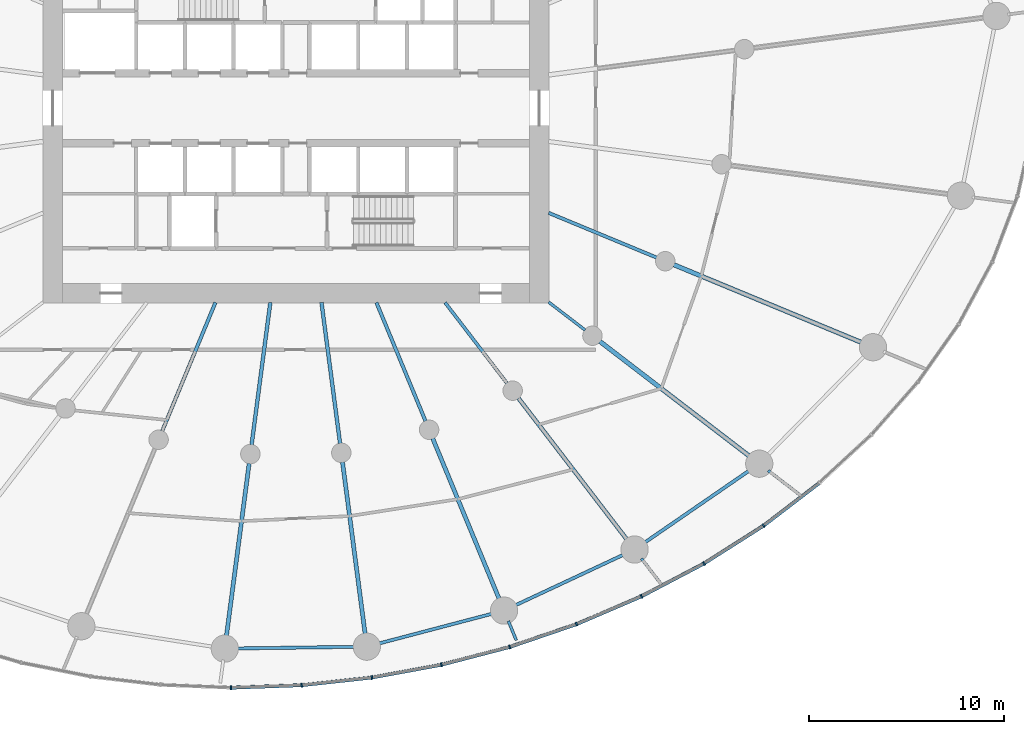
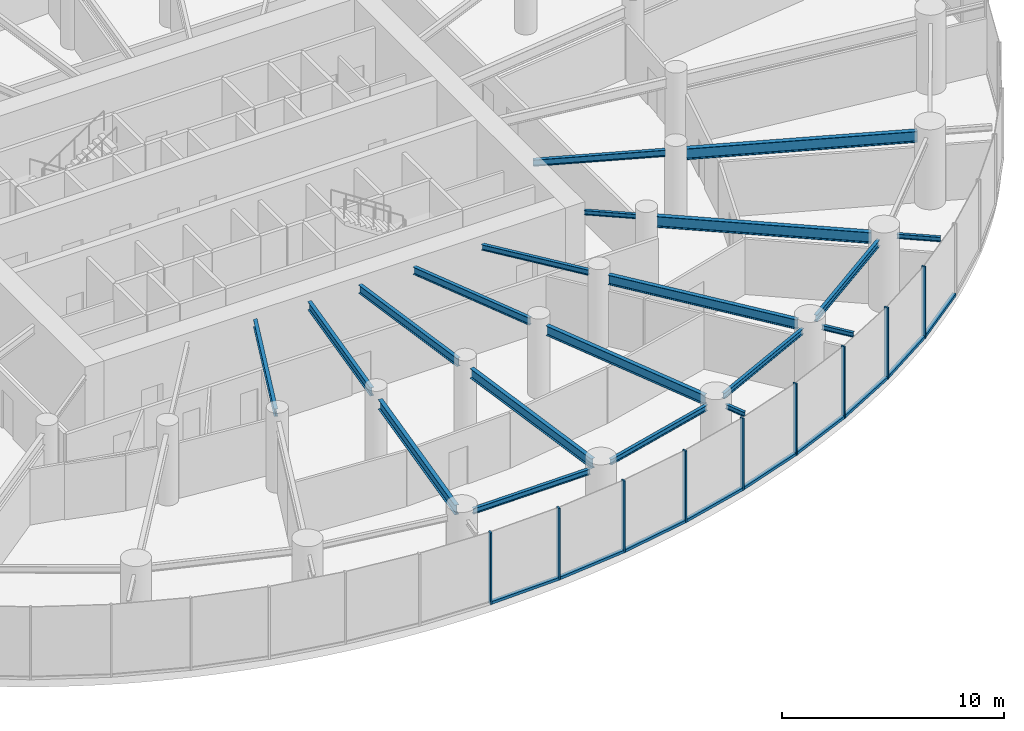
# One storey, part 4 of 19: 20 beams, 18 members, 2 elements without a shape of their own.
"""IFC4 building model written with IfcOpenShell, lengths in metres."""

from ifc_helpers import new_model, si_unit, direction, frame, origin, origin_2d, place, context, subcontext, project, spatial, rectangle, i_section, extrude, source, transform, mapped, material, layer, layer_set, material_profile, profile_set, type_object, element, aggregate, save


model = new_model("IFC4")

# Units and contexts
model_context = context("Model", 3, precision=1e-05, world=origin(), true_north=direction((0.0, 1.0)))
body_context = subcontext(model_context, "Body", "Model", "MODEL_VIEW")
ifc_project = project(units=[si_unit("LENGTHUNIT", "METRE"), si_unit("AREAUNIT", "SQUARE_METRE"), si_unit("VOLUMEUNIT", "CUBIC_METRE"), si_unit("PLANEANGLEUNIT", "RADIAN"), si_unit("MASSUNIT", "GRAM", prefix="KILO")], contexts=[model_context])

# Site, building, storey
site_placement = place(None, origin())
site = spatial("IfcSite", under=ifc_project, at=site_placement, CompositionType="ELEMENT")
building_placement = place(site_placement, origin())
building = spatial("IfcBuilding", under=site, at=building_placement, Name="Spindrift Exchange Tower", CompositionType="ELEMENT")
storey_placement = place(building_placement, frame((0.0, 0.0, 44.60009765625)))
storey = spatial("IfcBuildingStorey", under=building, at=storey_placement, Name="L10", CompositionType="ELEMENT", Elevation=44.60009765625)

# Beams
ifc_material_1 = material(Name="Steel Grade 300", Category="steel")
ifc_material_profile_1 = material_profile(ifc_material_1, i_section(OverallWidth=0.177978515625, OverallDepth=0.406005859375, WebThickness=0.0078125, FlangeThickness=0.0126953125, FilletRadius=0.013916015625, at=origin_2d()), Name="410UB59.7")
ifc_profile_set_1 = profile_set([ifc_material_profile_1], Name="Steel Grade 300")
beam_type_1 = type_object("IfcBeamType", Name="Floor Beam 410UB59.7 Steel Grade 300", PredefinedType="BEAM", material=ifc_profile_set_1)
shared_shape_1 = source(origin(), body_context, "Body", "SweptSolid", [
    extrude(i_section(OverallWidth=0.177978515625, OverallDepth=0.406005859375, WebThickness=0.0078125, FlangeThickness=0.0126953125, FilletRadius=0.013916015625, at=origin_2d()), origin(), (0.0, 0.0, 1.0), 7.150634765625),
])
beam_1_placement = place(storey_placement, frame((47.865478515625, 38.0185546875, 3.746826171875), z_axis=(-0.382665393358, -0.923887004306, 0.0), x_axis=(0.923887004306, -0.382665393358, 0.0)))
element("IfcBeam", 1, at=beam_1_placement, inside=storey, type_object=beam_type_1, Name="L10 radial beam R17A", PredefinedType="BEAM", context=body_context, shape_type="MappedRepresentation", body=[
    mapped(shared_shape_1, transform((0.0, 0.0, 0.0), scale=1.0)),
])
ifc_material_profile_2 = material_profile(ifc_material_1, i_section(OverallWidth=0.18994140625, OverallDepth=0.45703125, WebThickness=0.009033203125, FlangeThickness=0.014404296875, FilletRadius=0.013916015625, at=origin_2d()), Name="460UB74.6")
ifc_profile_set_2 = profile_set([ifc_material_profile_2], Name="Steel Grade 300")
beam_type_2 = type_object("IfcBeamType", Name="Floor Beam 460UB74.6 Steel Grade 300", PredefinedType="BEAM", material=ifc_profile_set_2)
shared_shape_2 = source(origin(), body_context, "Body", "SweptSolid", [
    extrude(i_section(OverallWidth=0.18994140625, OverallDepth=0.45703125, WebThickness=0.009033203125, FlangeThickness=0.014404296875, FilletRadius=0.013916015625, at=origin_2d()), origin(), (0.0, 0.0, 1.0), 7.374267578125),
])
beam_2_placement = place(storey_placement, frame((50.68603515625, 38.019775390625, 3.721435546875), z_axis=(-0.130539295622, -0.99144313619, 0.0), x_axis=(0.99144313619, -0.130539295622, 0.0)))
element("IfcBeam", 2, at=beam_2_placement, inside=storey, type_object=beam_type_2, Name="L10 radial beam R18A", PredefinedType="BEAM", context=body_context, shape_type="MappedRepresentation", body=[
    mapped(shared_shape_2, transform((0.0, 0.0, 0.0), scale=1.0)),
])
ifc_material_profile_3 = material_profile(ifc_material_1, i_section(OverallWidth=0.208984375, OverallDepth=0.532958984375, WebThickness=0.01025390625, FlangeThickness=0.015625, FilletRadius=0.013916015625, at=origin_2d()), Name="530UB92.4")
ifc_profile_set_3 = profile_set([ifc_material_profile_3], Name="Steel Grade 300")
beam_type_3 = type_object("IfcBeamType", Name="Floor Beam 530UB92.4 Steel Grade 300", PredefinedType="BEAM", material=ifc_profile_set_3)
shared_shape_3 = source(origin(), body_context, "Body", "SweptSolid", [
    extrude(i_section(OverallWidth=0.208984375, OverallDepth=0.532958984375, WebThickness=0.01025390625, FlangeThickness=0.015625, FilletRadius=0.013916015625, at=origin_2d()), origin(), (0.0, 0.0, 1.0), 9.020263671875),
])
beam_3_placement = place(storey_placement, frame((49.59814453125, 29.7568359375, 3.683349609375), z_axis=(-0.13051122338, -0.991446831944, 0.0), x_axis=(0.991446831944, -0.13051122338, 0.0)))
element("IfcBeam", 3, at=beam_3_placement, inside=storey, type_object=beam_type_3, Name="L10 radial beam R18B", PredefinedType="BEAM", context=body_context, shape_type="MappedRepresentation", body=[
    mapped(shared_shape_3, transform((0.0, 0.0, 0.0), scale=1.0)),
])
shared_shape_4 = source(origin(), body_context, "Body", "SweptSolid", [
    extrude(i_section(OverallWidth=0.18994140625, OverallDepth=0.45703125, WebThickness=0.009033203125, FlangeThickness=0.014404296875, FilletRadius=0.013916015625, at=origin_2d()), origin(), (0.0, 0.0, 1.0), 7.3095703125),
])
beam_4_placement = place(storey_placement, frame((53.31396484375, 38.019775390625, 3.721435546875), z_axis=(0.130527087244, -0.991444743541, 0.0), x_axis=(0.991444743541, 0.130527087244, 0.0)))
element("IfcBeam", 4, at=beam_4_placement, inside=storey, type_object=beam_type_2, Name="L10 radial beam R19A", PredefinedType="BEAM", context=body_context, shape_type="MappedRepresentation", body=[
    mapped(shared_shape_4, transform((0.0, 0.0, 0.0), scale=1.0)),
])
shared_shape_5 = source(origin(), body_context, "Body", "SweptSolid", [
    extrude(i_section(OverallWidth=0.208984375, OverallDepth=0.532958984375, WebThickness=0.01025390625, FlangeThickness=0.015625, FilletRadius=0.013916015625, at=origin_2d()), origin(), (0.0, 0.0, 1.0), 8.98388671875),
])
beam_5_placement = place(storey_placement, frame((54.393310546875, 29.82080078125, 3.683349609375), z_axis=(0.130524106785, -0.991445135924, 0.0), x_axis=(0.991445135924, 0.130524106785, 0.0)))
element("IfcBeam", 5, at=beam_5_placement, inside=storey, type_object=beam_type_3, Name="L10 radial beam R19B", PredefinedType="BEAM", context=body_context, shape_type="MappedRepresentation", body=[
    mapped(shared_shape_5, transform((0.0, 0.0, 0.0), scale=1.0)),
])
shared_shape_6 = source(origin(), body_context, "Body", "SweptSolid", [
    extrude(i_section(OverallWidth=0.177978515625, OverallDepth=0.406005859375, WebThickness=0.0078125, FlangeThickness=0.0126953125, FilletRadius=0.013916015625, at=origin_2d()), origin(), (0.0, 0.0, 1.0), 6.594482421875),
])
beam_6_placement = place(storey_placement, frame((56.134521484375, 38.0185546875, 3.746826171875), z_axis=(0.382692929746, -0.92387559851, 0.0), x_axis=(0.92387559851, 0.382692929746, 0.0)))
element("IfcBeam", 6, at=beam_6_placement, inside=storey, type_object=beam_type_1, Name="L10 radial beam R20A", PredefinedType="BEAM", context=body_context, shape_type="MappedRepresentation", body=[
    mapped(shared_shape_6, transform((0.0, 0.0, 0.0), scale=1.0)),
])
shared_shape_7 = source(origin(), body_context, "Body", "SweptSolid", [
    extrude(i_section(OverallWidth=0.208984375, OverallDepth=0.532958984375, WebThickness=0.01025390625, FlangeThickness=0.015625, FilletRadius=0.013916015625, at=origin_2d()), origin(), (0.0, 0.0, 1.0), 8.99658203125),
])
beam_7_placement = place(storey_placement, frame((59.025390625, 31.0390625, 3.683349609375), z_axis=(0.382685731718, -0.923878580085, 0.0), x_axis=(0.923878580085, 0.382685731718, 0.0)))
element("IfcBeam", 7, at=beam_7_placement, inside=storey, type_object=beam_type_3, Name="L10 radial beam R20B", PredefinedType="BEAM", context=body_context, shape_type="MappedRepresentation", body=[
    mapped(shared_shape_7, transform((0.0, 0.0, 0.0), scale=1.0)),
])
ifc_material_profile_4 = material_profile(ifc_material_1, i_section(OverallWidth=0.1650390625, OverallDepth=0.303955078125, WebThickness=0.006103515625, FlangeThickness=0.01025390625, FilletRadius=0.011474609375, at=origin_2d()), Name="310UB40.4")
ifc_profile_set_4 = profile_set([ifc_material_profile_4], Name="Steel Grade 300")
beam_type_4 = type_object("IfcBeamType", Name="Floor Beam 310UB40.4 Steel Grade 300", PredefinedType="BEAM", material=ifc_profile_set_4)
shared_shape_8 = source(origin(), body_context, "Body", "SweptSolid", [
    extrude(i_section(OverallWidth=0.1650390625, OverallDepth=0.303955078125, WebThickness=0.006103515625, FlangeThickness=0.01025390625, FilletRadius=0.011474609375, at=origin_2d()), origin(), (0.0, 0.0, 1.0), 5.224609375),
])
beam_8_placement = place(storey_placement, frame((59.6611328125, 38.015869140625, 3.7978515625), z_axis=(0.608741499316, -0.793368632485, 0.0), x_axis=(0.793368632485, 0.608741499316, 0.0)))
element("IfcBeam", 8, at=beam_8_placement, inside=storey, type_object=beam_type_4, Name="L10 radial beam R21A", PredefinedType="BEAM", context=body_context, shape_type="MappedRepresentation", body=[
    mapped(shared_shape_8, transform((0.0, 0.0, 0.0), scale=1.0)),
])
shared_shape_9 = source(origin(), body_context, "Body", "SweptSolid", [
    extrude(i_section(OverallWidth=0.208984375, OverallDepth=0.532958984375, WebThickness=0.01025390625, FlangeThickness=0.015625, FilletRadius=0.013916015625, at=origin_2d()), origin(), (0.0, 0.0, 1.0), 9.227783203125),
])
beam_9_placement = place(storey_placement, frame((63.426025390625, 33.109375, 3.683349609375), z_axis=(0.608747534474, -0.79336400175, 0.0), x_axis=(0.79336400175, 0.608747534474, 0.0)))
element("IfcBeam", 9, at=beam_9_placement, inside=storey, type_object=beam_type_3, Name="L10 radial beam R21B", PredefinedType="BEAM", context=body_context, shape_type="MappedRepresentation", body=[
    mapped(shared_shape_9, transform((0.0, 0.0, 0.0), scale=1.0)),
])
ifc_material_profile_5 = material_profile(ifc_material_1, i_section(OverallWidth=0.14599609375, OverallDepth=0.251953125, WebThickness=0.006103515625, FlangeThickness=0.008544921875, FilletRadius=0.011962890625, at=origin_2d()), Name="250UB31.4")
ifc_profile_set_5 = profile_set([ifc_material_profile_5], Name="Steel Grade 300")
beam_type_5 = type_object("IfcBeamType", Name="Floor Beam 250UB31.4 Steel Grade 300", PredefinedType="BEAM", material=ifc_profile_set_5)
shared_shape_10 = source(origin(), body_context, "Body", "SweptSolid", [
    extrude(i_section(OverallWidth=0.14599609375, OverallDepth=0.251953125, WebThickness=0.006103515625, FlangeThickness=0.008544921875, FilletRadius=0.011962890625, at=origin_2d()), origin(), (0.0, 0.0, 1.0), 2.353759765625),
])
beam_10_placement = place(storey_placement, frame((64.984130859375, 38.036865234375, 3.823974609375), z_axis=(0.793367573265, -0.608742879787, 0.0), x_axis=(0.608742879787, 0.793367573265, 0.0)))
element("IfcBeam", 10, at=beam_10_placement, inside=storey, type_object=beam_type_5, Name="L10 radial beam R22A", PredefinedType="BEAM", context=body_context, shape_type="MappedRepresentation", body=[
    mapped(shared_shape_10, transform((0.0, 0.0, 0.0), scale=1.0)),
])
ifc_material_profile_6 = material_profile(ifc_material_1, i_section(OverallWidth=0.22802734375, OverallDepth=0.60693359375, WebThickness=0.01123046875, FlangeThickness=0.017333984375, FilletRadius=0.013916015625, at=origin_2d()), Name="610UB113")
ifc_profile_set_6 = profile_set([ifc_material_profile_6], Name="Steel Grade 300")
beam_type_6 = type_object("IfcBeamType", Name="Floor Beam 610UB113 Steel Grade 300", PredefinedType="BEAM", material=ifc_profile_set_6)
shared_shape_11 = source(origin(), body_context, "Body", "SweptSolid", [
    extrude(i_section(OverallWidth=0.22802734375, OverallDepth=0.60693359375, WebThickness=0.01123046875, FlangeThickness=0.017333984375, FilletRadius=0.013916015625, at=origin_2d()), origin(), (0.0, 0.0, 1.0), 9.73974609375),
])
beam_11_placement = place(storey_placement, frame((67.61328125, 36.01953125, 3.646484375), z_axis=(0.793352119621, -0.608763019814, 0.0), x_axis=(0.608763019814, 0.793352119621, 0.0)))
element("IfcBeam", 11, at=beam_11_placement, inside=storey, type_object=beam_type_6, Name="L10 radial beam R22B", PredefinedType="BEAM", context=body_context, shape_type="MappedRepresentation", body=[
    mapped(shared_shape_11, transform((0.0, 0.0, 0.0), scale=1.0)),
])
ifc_material_profile_7 = material_profile(ifc_material_1, i_section(OverallWidth=0.172119140625, OverallDepth=0.35888671875, WebThickness=0.008056640625, FlangeThickness=0.012939453125, FilletRadius=0.013916015625, at=origin_2d()), Name="360UB56.7")
ifc_profile_set_7 = profile_set([ifc_material_profile_7], Name="Steel Grade 300")
beam_type_7 = type_object("IfcBeamType", Name="Floor Beam 360UB56.7 Steel Grade 300", PredefinedType="BEAM", material=ifc_profile_set_7)
shared_shape_12 = source(origin(), body_context, "Body", "SweptSolid", [
    extrude(i_section(OverallWidth=0.172119140625, OverallDepth=0.35888671875, WebThickness=0.008056640625, FlangeThickness=0.012939453125, FilletRadius=0.013916015625, at=origin_2d()), origin(), (0.0, 0.0, 1.0), 6.004638671875),
])
beam_12_placement = place(storey_placement, frame((64.9814453125, 42.622802734375, 3.7705078125), z_axis=(0.923882044911, -0.38267736684, 0.0), x_axis=(0.38267736684, 0.923882044911, 0.0)))
element("IfcBeam", 12, at=beam_12_placement, inside=storey, type_object=beam_type_7, Name="L10 radial beam R23A", PredefinedType="BEAM", context=body_context, shape_type="MappedRepresentation", body=[
    mapped(shared_shape_12, transform((0.0, 0.0, 0.0), scale=1.0)),
])
shared_shape_13 = source(origin(), body_context, "Body", "SweptSolid", [
    extrude(i_section(OverallWidth=0.22802734375, OverallDepth=0.60693359375, WebThickness=0.01123046875, FlangeThickness=0.017333984375, FilletRadius=0.013916015625, at=origin_2d()), origin(), (0.0, 0.0, 1.0), 10.4912109375),
])
beam_13_placement = place(storey_placement, frame((71.416015625, 39.95751953125, 3.646484375), z_axis=(0.923885231151, -0.382669674342, 0.0), x_axis=(0.382669674342, 0.923885231151, 0.0)))
element("IfcBeam", 13, at=beam_13_placement, inside=storey, type_object=beam_type_6, Name="L10 radial beam R23B", PredefinedType="BEAM", context=body_context, shape_type="MappedRepresentation", body=[
    mapped(shared_shape_13, transform((0.0, 0.0, 0.0), scale=1.0)),
])
ifc_material_profile_8 = material_profile(ifc_material_1, i_section(OverallWidth=0.1650390625, OverallDepth=0.303955078125, WebThickness=0.006103515625, FlangeThickness=0.01025390625, FilletRadius=0.011474609375, at=origin_2d()), Name="310UB40.4")
ifc_profile_set_8 = profile_set([ifc_material_profile_8], Name="Steel Grade 300")
beam_type_8 = type_object("IfcBeamType", Name="Edge Beam 310UB40.4 Steel Grade 300", PredefinedType="SPANDREL", material=ifc_profile_set_8)
shared_shape_14 = source(origin(), body_context, "Body", "SweptSolid", [
    extrude(i_section(OverallWidth=0.1650390625, OverallDepth=0.303955078125, WebThickness=0.006103515625, FlangeThickness=0.01025390625, FilletRadius=0.011474609375, at=origin_2d()), origin(), (0.0, 0.0, 1.0), 6.13720703125),
])
beam_14_placement = place(storey_placement, frame((48.925048828125, 20.24658203125, 3.7978515625), z_axis=(0.999905820907, 0.013724041543, 0.0), x_axis=(-0.013724041543, 0.999905820907, 0.0)))
element("IfcBeam", 14, at=beam_14_placement, inside=storey, type_object=beam_type_8, Name="L10 edge beam E18", PredefinedType="SPANDREL", context=body_context, shape_type="MappedRepresentation", body=[
    mapped(shared_shape_14, transform((0.0, 0.0, 0.0), scale=1.0)),
])
shared_shape_15 = source(origin(), body_context, "Body", "SweptSolid", [
    extrude(i_section(OverallWidth=0.1650390625, OverallDepth=0.303955078125, WebThickness=0.006103515625, FlangeThickness=0.01025390625, FilletRadius=0.011474609375, at=origin_2d()), origin(), (0.0, 0.0, 1.0), 6.128173828125),
])
beam_15_placement = place(storey_placement, frame((56.20263671875, 20.486083984375, 3.7978515625), z_axis=(0.967147261855, 0.254216785216, 0.0), x_axis=(-0.254216785216, 0.967147261855, 0.0)))
element("IfcBeam", 15, at=beam_15_placement, inside=storey, type_object=beam_type_8, Name="L10 edge beam E19", PredefinedType="SPANDREL", context=body_context, shape_type="MappedRepresentation", body=[
    mapped(shared_shape_15, transform((0.0, 0.0, 0.0), scale=1.0)),
])
shared_shape_16 = source(origin(), body_context, "Body", "SweptSolid", [
    extrude(i_section(OverallWidth=0.1650390625, OverallDepth=0.303955078125, WebThickness=0.006103515625, FlangeThickness=0.01025390625, FilletRadius=0.011474609375, at=origin_2d()), origin(), (0.0, 0.0, 1.0), 6.243408203125),
])
beam_16_placement = place(storey_placement, frame((63.2158203125, 22.43701171875, 3.7978515625), z_axis=(0.905791146607, 0.423724437257, 0.0), x_axis=(-0.423724437257, 0.905791146607, 0.0)))
element("IfcBeam", 16, at=beam_16_placement, inside=storey, type_object=beam_type_8, Name="L10 edge beam E20", PredefinedType="SPANDREL", context=body_context, shape_type="MappedRepresentation", body=[
    mapped(shared_shape_16, transform((0.0, 0.0, 0.0), scale=1.0)),
])
ifc_material_profile_9 = material_profile(ifc_material_1, i_section(OverallWidth=0.172119140625, OverallDepth=0.35888671875, WebThickness=0.008056640625, FlangeThickness=0.012939453125, FilletRadius=0.013916015625, at=origin_2d()), Name="360UB56.7")
ifc_profile_set_9 = profile_set([ifc_material_profile_9], Name="Steel Grade 300")
beam_type_9 = type_object("IfcBeamType", Name="Edge Beam 360UB56.7 Steel Grade 300", PredefinedType="SPANDREL", material=ifc_profile_set_9)
shared_shape_17 = source(origin(), body_context, "Body", "SweptSolid", [
    extrude(i_section(OverallWidth=0.172119140625, OverallDepth=0.35888671875, WebThickness=0.008056640625, FlangeThickness=0.012939453125, FilletRadius=0.013916015625, at=origin_2d()), origin(), (0.0, 0.0, 1.0), 6.614990234375),
])
beam_17_placement = place(storey_placement, frame((69.874267578125, 25.6572265625, 3.7705078125), z_axis=(0.823690708835, 0.567039342708, 0.0), x_axis=(-0.567039342708, 0.823690708835, 0.0)))
element("IfcBeam", 17, at=beam_17_placement, inside=storey, type_object=beam_type_9, Name="L10 edge beam E21", PredefinedType="SPANDREL", context=body_context, shape_type="MappedRepresentation", body=[
    mapped(shared_shape_17, transform((0.0, 0.0, 0.0), scale=1.0)),
])
ifc_material_profile_10 = material_profile(ifc_material_1, i_section(OverallWidth=0.14599609375, OverallDepth=0.251953125, WebThickness=0.006103515625, FlangeThickness=0.008544921875, FilletRadius=0.011962890625, at=origin_2d()), Name="250UB31.4")
ifc_profile_set_10 = profile_set([ifc_material_profile_10], Name="Steel Grade 300")
beam_type_10 = type_object("IfcBeamType", Name="Cantilever Beam 250UB31.4 Steel Grade 300", PredefinedType="BEAM", material=ifc_profile_set_10)
shared_shape_18 = source(origin(), body_context, "Body", "SweptSolid", [
    extrude(i_section(OverallWidth=0.14599609375, OverallDepth=0.251953125, WebThickness=0.006103515625, FlangeThickness=0.008544921875, FilletRadius=0.011962890625, at=origin_2d()), origin(), (0.0, 0.0, 1.0), 1.0703125),
])
beam_18_placement = place(storey_placement, frame((62.912109375, 21.655517578125, 3.823974609375), z_axis=(0.382768141022, -0.923844440487, 0.0), x_axis=(0.923844440487, 0.382768141022, 0.0)))
element("IfcBeam", 18, at=beam_18_placement, inside=storey, type_object=beam_type_10, Name="L10 cantilever beam R20T", PredefinedType="BEAM", context=body_context, shape_type="MappedRepresentation", body=[
    mapped(shared_shape_18, transform((0.0, 0.0, 0.0), scale=1.0)),
])
shared_shape_19 = source(origin(), body_context, "Body", "SweptSolid", [
    extrude(i_section(OverallWidth=0.14599609375, OverallDepth=0.251953125, WebThickness=0.006103515625, FlangeThickness=0.008544921875, FilletRadius=0.011962890625, at=origin_2d()), origin(), (0.0, 0.0, 1.0), 1.551025390625),
])
beam_19_placement = place(storey_placement, frame((69.749755859375, 24.8681640625, 3.823974609375), z_axis=(0.608728928553, -0.79337827771, 0.0), x_axis=(0.79337827771, 0.608728928553, 0.0)))
element("IfcBeam", 19, at=beam_19_placement, inside=storey, type_object=beam_type_10, Name="L10 cantilever beam R21T", PredefinedType="BEAM", context=body_context, shape_type="MappedRepresentation", body=[
    mapped(shared_shape_19, transform((0.0, 0.0, 0.0), scale=1.0)),
])
shared_shape_20 = source(origin(), body_context, "Body", "SweptSolid", [
    extrude(i_section(OverallWidth=0.14599609375, OverallDepth=0.251953125, WebThickness=0.006103515625, FlangeThickness=0.008544921875, FilletRadius=0.011962890625, at=origin_2d()), origin(), (0.0, 0.0, 1.0), 1.985107421875),
])
beam_20_placement = place(storey_placement, frame((76.2607421875, 29.384033203125, 3.823974609375), z_axis=(0.7933549083, -0.608759385535, 0.0), x_axis=(0.608759385535, 0.7933549083, 0.0)))
element("IfcBeam", 20, at=beam_20_placement, inside=storey, type_object=beam_type_10, Name="L10 cantilever beam R22T", PredefinedType="BEAM", context=body_context, shape_type="MappedRepresentation", body=[
    mapped(shared_shape_20, transform((0.0, 0.0, 0.0), scale=1.0)),
])

# Curtain wall, members
ifc_material_2 = material(Name="Fritted laminated glass with bronze frame", Category="glass")
ifc_layer = layer(ifc_material_2, 0.199951171875)
ifc_layer_set = layer_set([ifc_layer], Name="ZONE 1 BRONZE FRITTED WALL")
curtain_wall_type = type_object("IfcCurtainWallType", Name="ZONE 1 BRONZE FRITTED WALL", PredefinedType="NOTDEFINED", material=ifc_layer_set)
curtain_wall_1_placement = place(storey_placement, origin())
curtain_wall_1 = element("IfcCurtainWall", 21, at=curtain_wall_1_placement, inside=storey, type_object=curtain_wall_type, Name="L10 Zone 1 Bronze Fritted Wall run 8", PredefinedType="NOTDEFINED")
ifc_material_3 = material(Name="Bronze anodised aluminium", Category="aluminium")
ifc_material_profile_11 = material_profile(ifc_material_3, rectangle(XDim=0.080078125, YDim=0.199951171875, at=origin_2d()), Name="ZONE 1 BRONZE FRITTED WALL MULLION 80X200")
ifc_profile_set_11 = profile_set([ifc_material_profile_11], Name="Bronze anodised aluminium")
member_type_1 = type_object("IfcMemberType", Name="ZONE 1 BRONZE FRITTED WALL MULLION 80X200", PredefinedType="MULLION", material=ifc_profile_set_11)
shared_shape_21 = source(origin(), body_context, "Body", "SweptSolid", [
    extrude(rectangle(XDim=0.080078125, YDim=0.199951171875, at=origin_2d()), origin(), (0.0, 0.0, 1.0), 3.949951171875),
])
member_1_placement = place(storey_placement, frame((48.672119140625, 18.23193359375, 0.0), z_axis=(0.0, 0.0, 1.0), x_axis=(0.999997684621, -0.002151918167, 0.0)))
member_1 = element("IfcMember", 22, at=member_1_placement, type_object=member_type_1, Name="L10 mullion CW-1.43", PredefinedType="MULLION", context=body_context, shape_type="MappedRepresentation", body=[
    mapped(shared_shape_21, transform((0.0, 0.0, 0.0), scale=1.0)),
])
member_2_placement = place(storey_placement, frame((52.29736328125, 18.35986328125, 0.0), z_axis=(0.0, 0.0, 1.0), x_axis=(0.997407568275, 0.071959313135, 0.0)))
member_2 = element("IfcMember", 23, at=member_2_placement, type_object=member_type_1, Name="L10 mullion CW-1.44", PredefinedType="MULLION", context=body_context, shape_type="MappedRepresentation", body=[
    mapped(shared_shape_21, transform((0.0, 0.0, 0.0), scale=1.0)),
])
member_3_placement = place(storey_placement, frame((55.9033203125, 18.753662109375, 0.0), z_axis=(0.0, 0.0, 1.0), x_axis=(0.98947738713, 0.144687595732, 0.0)))
member_3 = element("IfcMember", 24, at=member_3_placement, type_object=member_type_1, Name="L10 mullion CW-1.45", PredefinedType="MULLION", context=body_context, shape_type="MappedRepresentation", body=[
    mapped(shared_shape_21, transform((0.0, 0.0, 0.0), scale=1.0)),
])
member_4_placement = place(storey_placement, frame((59.47119140625, 19.408935546875, 0.0), z_axis=(0.0, 0.0, 1.0), x_axis=(0.976295156842, 0.216443449256, 0.0)))
member_4 = element("IfcMember", 25, at=member_4_placement, type_object=member_type_1, Name="L10 mullion CW-1.46", PredefinedType="MULLION", context=body_context, shape_type="MappedRepresentation", body=[
    mapped(shared_shape_21, transform((0.0, 0.0, 0.0), scale=1.0)),
])
member_5_placement = place(storey_placement, frame((62.9814453125, 20.32275390625, 0.0), z_axis=(0.0, 0.0, 1.0), x_axis=(0.957747377967, 0.287610778654, 0.0)))
member_5 = element("IfcMember", 26, at=member_5_placement, type_object=member_type_1, Name="L10 mullion CW-1.47", PredefinedType="MULLION", context=body_context, shape_type="MappedRepresentation", body=[
    mapped(shared_shape_21, transform((0.0, 0.0, 0.0), scale=1.0)),
])
member_6_placement = place(storey_placement, frame((66.41455078125, 21.493896484375, 0.0), z_axis=(0.0, 0.0, 1.0), x_axis=(0.933504638559, 0.358565321508, 0.0)))
member_6 = element("IfcMember", 27, at=member_6_placement, type_object=member_type_1, Name="L10 mullion CW-1.48", PredefinedType="MULLION", context=body_context, shape_type="MappedRepresentation", body=[
    mapped(shared_shape_21, transform((0.0, 0.0, 0.0), scale=1.0)),
])

curtain_wall_2_placement = place(storey_placement, origin())
curtain_wall_2 = element("IfcCurtainWall", 28, at=curtain_wall_2_placement, inside=storey, type_object=curtain_wall_type, Name="L10 Zone 1 Bronze Fritted Wall run 9", PredefinedType="NOTDEFINED")
member_7_placement = place(storey_placement, frame((69.748779296875, 22.922119140625, 0.0), z_axis=(0.0, 0.0, 1.0), x_axis=(0.903023381989, 0.42959140073, 0.0)))
member_7 = element("IfcMember", 29, at=member_7_placement, type_object=member_type_1, Name="L10 mullion CW-1.49", PredefinedType="MULLION", context=body_context, shape_type="MappedRepresentation", body=[
    mapped(shared_shape_21, transform((0.0, 0.0, 0.0), scale=1.0)),
])
member_8_placement = place(storey_placement, frame((72.96044921875, 24.608154296875, 0.0), z_axis=(0.0, 0.0, 1.0), x_axis=(0.865517113146, 0.500879353588, 0.0)))
member_8 = element("IfcMember", 30, at=member_8_placement, type_object=member_type_1, Name="L10 mullion CW-1.50", PredefinedType="MULLION", context=body_context, shape_type="MappedRepresentation", body=[
    mapped(shared_shape_21, transform((0.0, 0.0, 0.0), scale=1.0)),
])
member_9_placement = place(storey_placement, frame((76.022216796875, 26.552734375, 0.0), z_axis=(0.0, 0.0, 1.0), x_axis=(0.819944441963, 0.572443108173, 0.0)))
member_9 = element("IfcMember", 31, at=member_9_placement, type_object=member_type_1, Name="L10 mullion CW-1.51", PredefinedType="MULLION", context=body_context, shape_type="MappedRepresentation", body=[
    mapped(shared_shape_21, transform((0.0, 0.0, 0.0), scale=1.0)),
])
ifc_material_profile_12 = material_profile(ifc_material_3, rectangle(XDim=0.179931640625, YDim=0.14990234375, at=origin_2d()), Name="ZONE 1 BRONZE FRITTED WALL TRANSOM 180X150")
ifc_profile_set_12 = profile_set([ifc_material_profile_12], Name="Bronze anodised aluminium")
member_type_2 = type_object("IfcMemberType", Name="ZONE 1 BRONZE FRITTED WALL TRANSOM 180X150", PredefinedType="USERDEFINED", material=ifc_profile_set_12)
shared_shape_22 = source(origin(), body_context, "Body", "SweptSolid", [
    extrude(rectangle(XDim=0.179931640625, YDim=0.14990234375, at=origin_2d()), origin(), (0.0, 0.0, 1.0), 3.546875),
])
member_10_placement = place(storey_placement, frame((72.994384765625, 24.629638671875, 0.074951171875), z_axis=(0.844140132911, 0.536122594198, 0.0), x_axis=(-0.536122594198, 0.844140132911, 0.0)))
member_10 = element("IfcMember", 32, at=member_10_placement, type_object=member_type_2, Name="L10 transom CW-1.50", ObjectType="TRANSOM", PredefinedType="USERDEFINED", context=body_context, shape_type="MappedRepresentation", body=[
    mapped(shared_shape_22, transform((0.0, 0.0, 0.0), scale=1.0)),
])

# Member
shared_shape_23 = source(origin(), body_context, "Body", "SweptSolid", [
    extrude(rectangle(XDim=0.179931640625, YDim=0.14990234375, at=origin_2d()), origin(), (0.0, 0.0, 1.0), 3.54736328125),
])
member_11_placement = place(storey_placement, frame((48.712158203125, 18.2333984375, 0.074951171875), z_axis=(0.999378970594, 0.035237382614, 0.0), x_axis=(-0.035237382614, 0.999378970594, 0.0)))
member_11 = element("IfcMember", 33, at=member_11_placement, type_object=member_type_2, Name="L10 transom CW-1.43", ObjectType="TRANSOM", PredefinedType="USERDEFINED", context=body_context, shape_type="MappedRepresentation", body=[
    mapped(shared_shape_23, transform((0.0, 0.0, 0.0), scale=1.0)),
])

member_12_placement = place(storey_placement, frame((52.337158203125, 18.3642578125, 0.074951171875), z_axis=(0.994092594493, 0.108535310268, 0.0), x_axis=(-0.108535310268, 0.994092594493, 0.0)))
member_12 = element("IfcMember", 34, at=member_12_placement, type_object=member_type_2, Name="L10 transom CW-1.44", ObjectType="TRANSOM", PredefinedType="USERDEFINED", context=body_context, shape_type="MappedRepresentation", body=[
    mapped(shared_shape_23, transform((0.0, 0.0, 0.0), scale=1.0)),
])

member_13_placement = place(storey_placement, frame((55.942626953125, 18.7607421875, 0.074951171875), z_axis=(0.983545668846, 0.180659672572, 0.0), x_axis=(-0.180659672572, 0.983545668846, 0.0)))
member_13 = element("IfcMember", 35, at=member_13_placement, type_object=member_type_2, Name="L10 transom CW-1.45", ObjectType="TRANSOM", PredefinedType="USERDEFINED", context=body_context, shape_type="MappedRepresentation", body=[
    mapped(shared_shape_23, transform((0.0, 0.0, 0.0), scale=1.0)),
])

member_14_placement = place(storey_placement, frame((59.509765625, 19.4189453125, 0.074951171875), z_axis=(0.967736297398, 0.251965193427, 0.0), x_axis=(-0.251965193427, 0.967736297398, 0.0)))
member_14 = element("IfcMember", 36, at=member_14_placement, type_object=member_type_2, Name="L10 transom CW-1.46", ObjectType="TRANSOM", PredefinedType="USERDEFINED", context=body_context, shape_type="MappedRepresentation", body=[
    mapped(shared_shape_23, transform((0.0, 0.0, 0.0), scale=1.0)),
])

member_15_placement = place(storey_placement, frame((63.019287109375, 20.335693359375, 0.074951171875), z_axis=(0.946429904593, 0.32290933045, 0.0), x_axis=(-0.32290933045, 0.946429904593, 0.0)))
member_15 = element("IfcMember", 37, at=member_15_placement, type_object=member_type_2, Name="L10 transom CW-1.47", ObjectType="TRANSOM", PredefinedType="USERDEFINED", context=body_context, shape_type="MappedRepresentation", body=[
    mapped(shared_shape_23, transform((0.0, 0.0, 0.0), scale=1.0)),
])

member_16_placement = place(storey_placement, frame((66.451171875, 21.509765625, 0.074951171875), z_axis=(0.919219771092, 0.393744857024, 0.0), x_axis=(-0.393744857024, 0.919219771092, 0.0)))
member_16 = element("IfcMember", 38, at=member_16_placement, type_object=member_type_2, Name="L10 transom CW-1.48", ObjectType="TRANSOM", PredefinedType="USERDEFINED", context=body_context, shape_type="MappedRepresentation", body=[
    mapped(shared_shape_23, transform((0.0, 0.0, 0.0), scale=1.0)),
])

aggregate(curtain_wall_1, [member_1, member_11, member_2, member_12, member_3, member_13, member_4, member_14, member_5, member_15, member_6, member_16])

member_17_placement = place(storey_placement, frame((69.7841796875, 22.940673828125, 0.074951171875), z_axis=(0.885401443411, 0.464827154979, 0.0), x_axis=(-0.464827154979, 0.885401443411, 0.0)))
member_17 = element("IfcMember", 39, at=member_17_placement, type_object=member_type_2, Name="L10 transom CW-1.49", ObjectType="TRANSOM", PredefinedType="USERDEFINED", context=body_context, shape_type="MappedRepresentation", body=[
    mapped(shared_shape_23, transform((0.0, 0.0, 0.0), scale=1.0)),
])

shared_shape_24 = source(origin(), body_context, "Body", "SweptSolid", [
    extrude(rectangle(XDim=0.179931640625, YDim=0.14990234375, at=origin_2d()), origin(), (0.0, 0.0, 1.0), 3.547119140625),
])
member_18_placement = place(storey_placement, frame((76.053955078125, 26.576904296875, 0.074951171875), z_axis=(0.79418979363, 0.607669788367, 0.0), x_axis=(-0.607669788367, 0.79418979363, 0.0)))
member_18 = element("IfcMember", 40, at=member_18_placement, type_object=member_type_2, Name="L10 transom CW-1.51", ObjectType="TRANSOM", PredefinedType="USERDEFINED", context=body_context, shape_type="MappedRepresentation", body=[
    mapped(shared_shape_24, transform((0.0, 0.0, 0.0), scale=1.0)),
])

aggregate(curtain_wall_2, [member_7, member_17, member_8, member_10, member_9, member_18])

save(model, "model.ifc")
